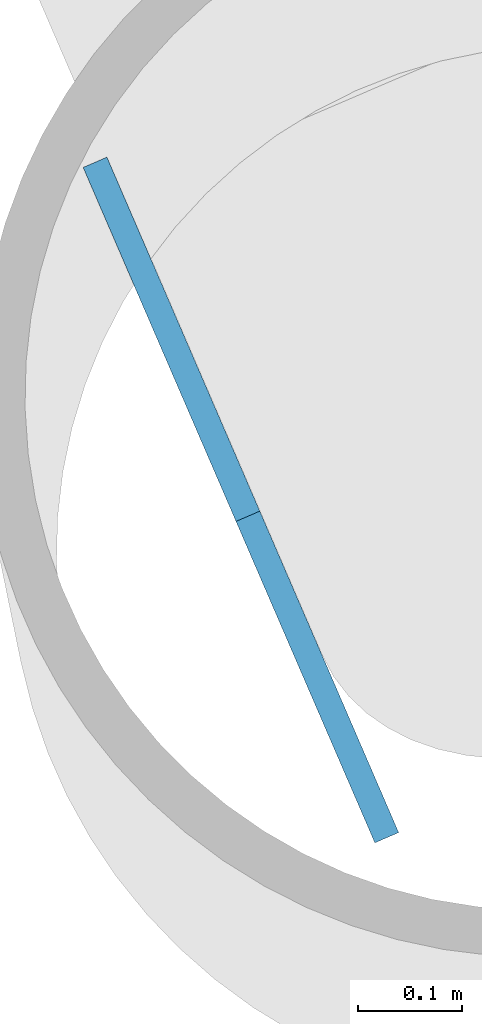
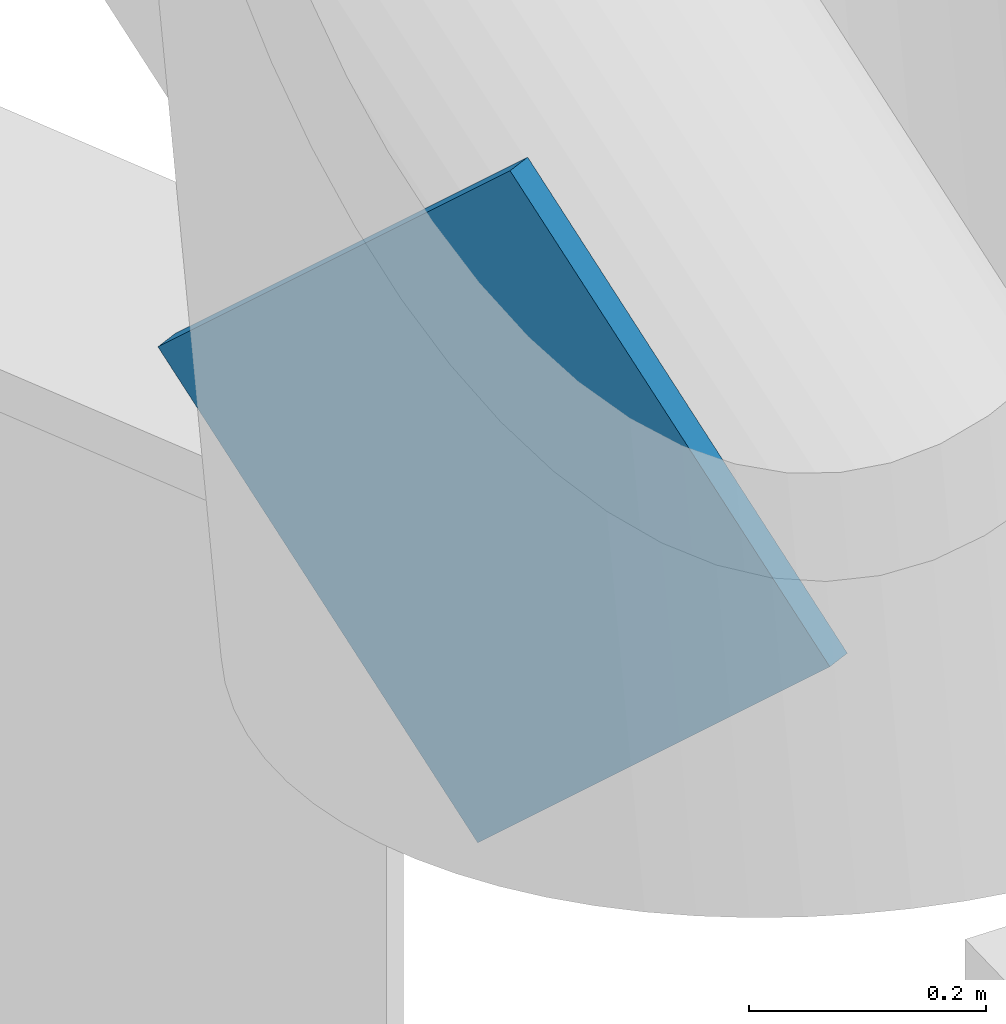
# One storey, part 10 of 24: 1 discrete accessory.
"""IFC4 building model written with IfcOpenShell, lengths in metres."""

from ifc_helpers import new_model, si_unit, direction, frame, origin, origin_2d, place, context, subcontext, project, spatial, rectangle, extrude, material, material_profile, profile_set, type_object, element, save


model = new_model("IFC4")

# Units and contexts
model_context = context("Model", 3, precision=1e-05, world=origin(), true_north=direction((0.0, 1.0)))
body_context = subcontext(model_context, "Body", "Model", "MODEL_VIEW")
ifc_project = project(units=[si_unit("LENGTHUNIT", "METRE"), si_unit("AREAUNIT", "SQUARE_METRE"), si_unit("VOLUMEUNIT", "CUBIC_METRE"), si_unit("PLANEANGLEUNIT", "RADIAN"), si_unit("MASSUNIT", "GRAM", prefix="KILO")], contexts=[model_context])

# Site, building, storey
site_placement = place(None, origin())
site = spatial("IfcSite", under=ifc_project, at=site_placement, CompositionType="ELEMENT")
building_placement = place(site_placement, origin())
building = spatial("IfcBuilding", under=site, at=building_placement, Name="Tarsis Ring Headquarters", CompositionType="ELEMENT")
storey_placement = place(building_placement, frame((0.0, 0.0, 216.0)))
storey = spatial("IfcBuildingStorey", under=building, at=storey_placement, Name="L50", CompositionType="ELEMENT", Elevation=216.0)

# Discrete accessory
ifc_material = material(Name="Structural steel S355", Category="steel")
ifc_material_profile = material_profile(ifc_material, rectangle(XDim=0.02490234375, YDim=0.5, at=origin_2d()), Name="PL 25x500")
ifc_profile_set = profile_set([ifc_material_profile], Name="Structural steel S355")
discrete_accessory_type = type_object("IfcDiscreteAccessoryType", Name="Gusset plate Exo brace 25", PredefinedType="BRACKET", material=ifc_profile_set)
discrete_accessory_placement = place(storey_placement, frame((28.2646484375, 5.465576171875, 0.0), z_axis=(-0.266512714406, 0.616981815036, 0.740475801748), x_axis=(-0.918014286658, -0.396547310534, 0.0)))
element("IfcDiscreteAccessory", 1, at=discrete_accessory_placement, inside=storey, type_object=discrete_accessory_type, Name="Gusset plate GP5", PredefinedType="BRACKET", context=body_context, shape_type="SweptSolid", body=[
    extrude(rectangle(XDim=0.02490234375, YDim=0.5, at=origin_2d()), origin(), (0.0, 0.0, 1.0), 0.500244140625),
])

save(model, "model.ifc")
